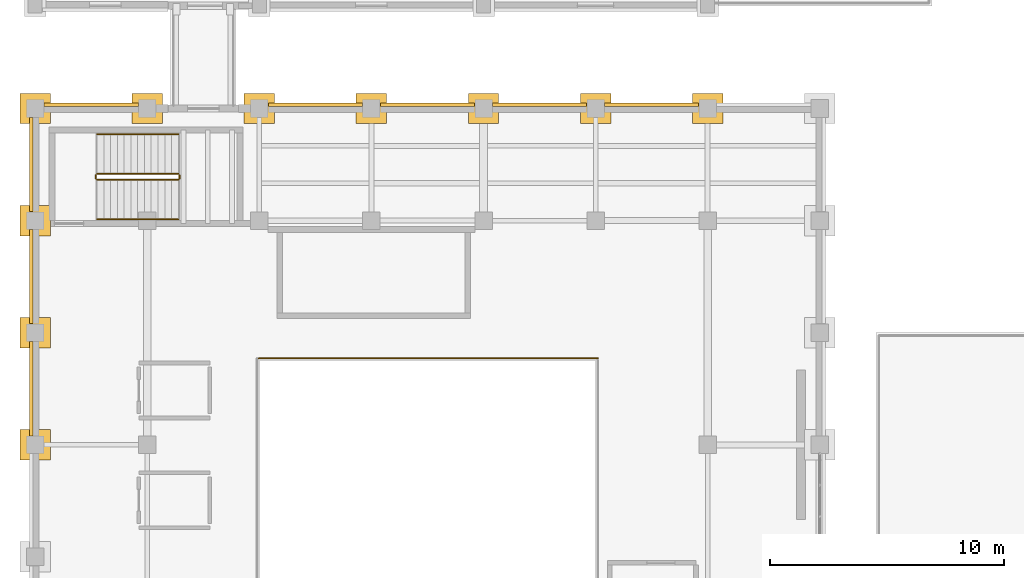
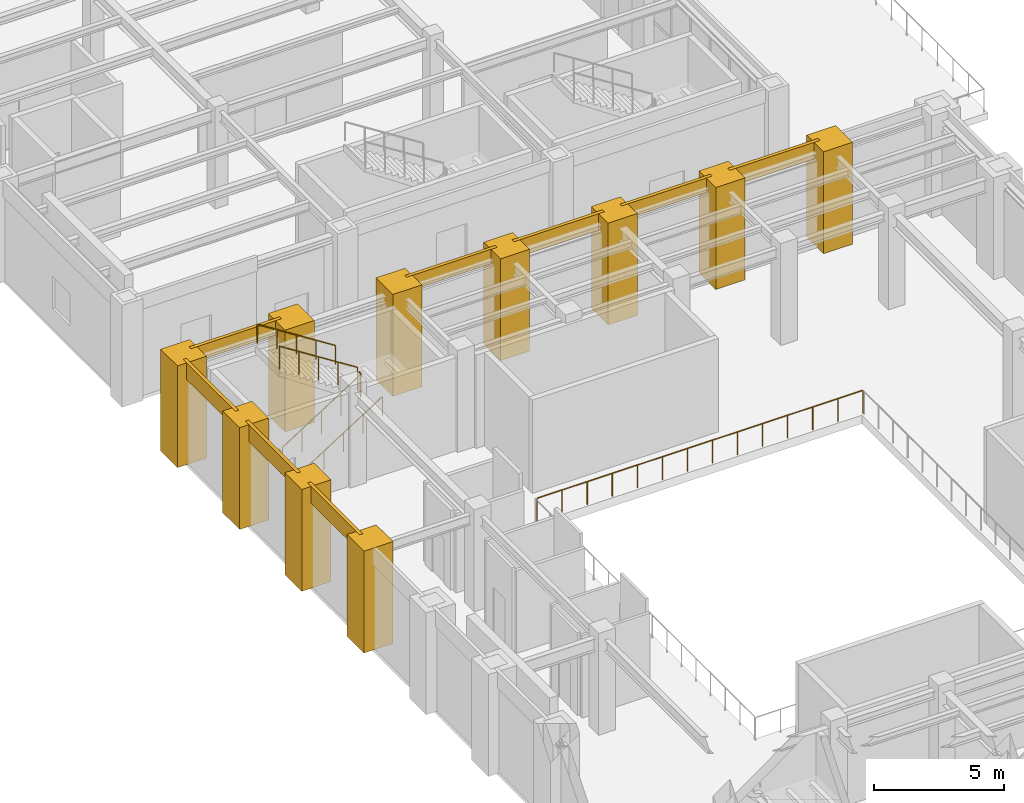
# One storey, part 75 of 83: 18 coverings, 7 railings.
"""IFC4 building model written with IfcOpenShell, lengths in metres."""

from ifc_helpers import new_model, si_unit, direction, frame, origin, origin_2d, place, context, subcontext, project, spatial, polyline, circle, outline, extrude, material, layer, layer_set, type_object, element, save


model = new_model("IFC4")

# Units and contexts
model_context = context("Model", 3, precision=1e-05, world=origin(), true_north=direction((0.0, 1.0)))
body_context = subcontext(model_context, "Body", "Model", "MODEL_VIEW")
ifc_project = project(units=[si_unit("LENGTHUNIT", "METRE"), si_unit("AREAUNIT", "SQUARE_METRE"), si_unit("VOLUMEUNIT", "CUBIC_METRE"), si_unit("PLANEANGLEUNIT", "RADIAN"), si_unit("MASSUNIT", "GRAM", prefix="KILO")], contexts=[model_context])

# Site, building, storey
site_placement = place(None, origin())
site = spatial("IfcSite", under=ifc_project, at=site_placement, CompositionType="ELEMENT")
building_placement = place(site_placement, origin())
building = spatial("IfcBuilding", under=site, at=building_placement, Name="Mavantir Sound Aquarium", CompositionType="ELEMENT")
storey_placement = place(building_placement, frame((0.0, 0.0, 10.5)))
storey = spatial("IfcBuildingStorey", under=building, at=storey_placement, Name="L02", CompositionType="ELEMENT", Elevation=10.5)

# Coverings
ifc_material_1 = material(Name="Honed Coral-Limestone & Glazed Terracotta Rainscreen Cladding", Category="masonry")
ifc_layer = layer(ifc_material_1, 0.06005859375, Name="Honed Coral-Limestone & Glazed Terracotta Rainscreen Cladding")
ifc_layer_set = layer_set([ifc_layer], Name="Honed Coral-Limestone & Glazed Terracotta Rainscreen Cladding")
covering_type = type_object("IfcCoveringType", Name="COV-CLAD-TC", PredefinedType="CLADDING", material=ifc_layer_set)
covering_1_placement = place(storey_placement, frame((0.0, 0.0, 4.008056640625)))
element("IfcCovering", 1, at=covering_1_placement, inside=storey, type_object=covering_type, Name="L02 Postmodern coral-limestone spandrel frieze 294", PredefinedType="CLADDING", context=body_context, shape_type="SweptSolid", body=[
    extrude(outline(polyline([(28.4169921875, 79.2900390625), (24.383056640625, 79.2900390625), (24.383056640625, 79.43994140625), (28.4169921875, 79.43994140625), (28.4169921875, 79.2900390625)])), origin(), (0.0, 0.0, 1.0), 0.7919921875),
])
covering_2_placement = place(storey_placement, frame((0.0, 0.0, 4.113037109375)))
element("IfcCovering", 2, at=covering_2_placement, inside=storey, type_object=covering_type, Name="L02 Postmodern coral-limestone spandrel frieze 295", PredefinedType="CLADDING", context=body_context, shape_type="SweptSolid", body=[
    extrude(outline(polyline([(23.616943359375, 79.2900390625), (19.5830078125, 79.2900390625), (19.5830078125, 79.43994140625), (23.616943359375, 79.43994140625), (23.616943359375, 79.2900390625)])), origin(), (0.0, 0.0, 1.0), 0.68701171875),
])
covering_3_placement = place(storey_placement, frame((0.0, 0.0, 4.008056640625)))
element("IfcCovering", 3, at=covering_3_placement, inside=storey, type_object=covering_type, Name="L02 Postmodern coral-limestone spandrel frieze 296", PredefinedType="CLADDING", context=body_context, shape_type="SweptSolid", body=[
    extrude(outline(polyline([(18.81689453125, 79.2900390625), (14.782958984375, 79.2900390625), (14.782958984375, 79.43994140625), (18.81689453125, 79.43994140625), (18.81689453125, 79.2900390625)])), origin(), (0.0, 0.0, 1.0), 0.7919921875),
])
covering_4_placement = place(storey_placement, frame((0.0, 0.0, 4.113037109375)))
element("IfcCovering", 4, at=covering_4_placement, inside=storey, type_object=covering_type, Name="L02 Postmodern coral-limestone spandrel frieze 297", PredefinedType="CLADDING", context=body_context, shape_type="SweptSolid", body=[
    extrude(outline(polyline([(14.01708984375, 79.2900390625), (9.98291015625, 79.2900390625), (9.98291015625, 79.43994140625), (14.01708984375, 79.43994140625), (14.01708984375, 79.2900390625)])), origin(), (0.0, 0.0, 1.0), 0.68701171875),
])
covering_5_placement = place(storey_placement, frame((0.0, 0.0, 4.113037109375)))
element("IfcCovering", 5, at=covering_5_placement, inside=storey, type_object=covering_type, Name="L02 Postmodern coral-limestone spandrel frieze 298", PredefinedType="CLADDING", context=body_context, shape_type="SweptSolid", body=[
    extrude(outline(polyline([(4.4169921875, 79.2900390625), (0.383056640625, 79.2900390625), (0.383056640625, 79.43994140625), (4.4169921875, 79.43994140625), (4.4169921875, 79.2900390625)])), origin(), (0.0, 0.0, 1.0), 0.68701171875),
])
covering_6_placement = place(storey_placement, frame((0.0, 0.0, 4.008056640625)))
element("IfcCovering", 6, at=covering_6_placement, inside=storey, type_object=covering_type, Name="L02 Postmodern coral-limestone spandrel frieze 299", PredefinedType="CLADDING", context=body_context, shape_type="SweptSolid", body=[
    extrude(outline(polyline([(-0.090087890625, 78.81689453125), (-0.090087890625, 74.782958984375), (-0.239990234375, 74.782958984375), (-0.239990234375, 78.81689453125), (-0.090087890625, 78.81689453125)])), origin(), (0.0, 0.0, 1.0), 0.7919921875),
])
covering_7_placement = place(storey_placement, frame((0.0, 0.0, 4.008056640625)))
element("IfcCovering", 7, at=covering_7_placement, inside=storey, type_object=covering_type, Name="L02 Postmodern coral-limestone spandrel frieze 300", PredefinedType="CLADDING", context=body_context, shape_type="SweptSolid", body=[
    extrude(outline(polyline([(-0.090087890625, 74.01708984375), (-0.090087890625, 69.98291015625), (-0.239990234375, 69.98291015625), (-0.239990234375, 74.01708984375), (-0.090087890625, 74.01708984375)])), origin(), (0.0, 0.0, 1.0), 0.7919921875),
])
covering_8_placement = place(storey_placement, frame((0.0, 0.0, 4.008056640625)))
element("IfcCovering", 8, at=covering_8_placement, inside=storey, type_object=covering_type, Name="L02 Postmodern coral-limestone spandrel frieze 301", PredefinedType="CLADDING", context=body_context, shape_type="SweptSolid", body=[
    extrude(outline(polyline([(-0.090087890625, 69.217041015625), (-0.090087890625, 65.18310546875), (-0.239990234375, 65.18310546875), (-0.239990234375, 69.217041015625), (-0.090087890625, 69.217041015625)])), origin(), (0.0, 0.0, 1.0), 0.7919921875),
])
covering_9_placement = place(storey_placement, origin())
element("IfcCovering", 9, at=covering_9_placement, inside=storey, type_object=covering_type, Name="L02 Postmodern coral-limestone pilaster casing 23", PredefinedType="CLADDING", context=body_context, shape_type="SweptSolid", body=[
    extrude(outline(polyline([(-0.64990234375, 64.14990234375), (0.64990234375, 64.14990234375), (0.64990234375, 65.449951171875), (-0.64990234375, 65.449951171875), (-0.64990234375, 64.14990234375)])), origin(), (0.0, 0.0, 1.0), 4.800048828125),
])
covering_10_placement = place(storey_placement, origin())
element("IfcCovering", 10, at=covering_10_placement, inside=storey, type_object=covering_type, Name="L02 Postmodern coral-limestone pilaster casing 27", PredefinedType="CLADDING", context=body_context, shape_type="SweptSolid", body=[
    extrude(outline(polyline([(-0.64990234375, 68.949951171875), (0.64990234375, 68.949951171875), (0.64990234375, 70.25), (-0.64990234375, 70.25), (-0.64990234375, 68.949951171875)])), origin(), (0.0, 0.0, 1.0), 4.800048828125),
])
covering_11_placement = place(storey_placement, origin())
element("IfcCovering", 11, at=covering_11_placement, inside=storey, type_object=covering_type, Name="L02 Postmodern coral-limestone pilaster casing 31", PredefinedType="CLADDING", context=body_context, shape_type="SweptSolid", body=[
    extrude(outline(polyline([(-0.64990234375, 73.75), (0.64990234375, 73.75), (0.64990234375, 75.050048828125), (-0.64990234375, 75.050048828125), (-0.64990234375, 73.75)])), origin(), (0.0, 0.0, 1.0), 4.800048828125),
])
covering_12_placement = place(storey_placement, origin())
element("IfcCovering", 12, at=covering_12_placement, inside=storey, type_object=covering_type, Name="L02 Postmodern coral-limestone pilaster casing 35", PredefinedType="CLADDING", context=body_context, shape_type="SweptSolid", body=[
    extrude(outline(polyline([(-0.64990234375, 78.550048828125), (0.64990234375, 78.550048828125), (0.64990234375, 79.85009765625), (-0.64990234375, 79.85009765625), (-0.64990234375, 78.550048828125)])), origin(), (0.0, 0.0, 1.0), 4.800048828125),
])
covering_13_placement = place(storey_placement, origin())
element("IfcCovering", 13, at=covering_13_placement, inside=storey, type_object=covering_type, Name="L02 Postmodern coral-limestone pilaster casing 43", PredefinedType="CLADDING", context=body_context, shape_type="SweptSolid", body=[
    extrude(outline(polyline([(4.14990234375, 78.550048828125), (5.449951171875, 78.550048828125), (5.449951171875, 79.85009765625), (4.14990234375, 79.85009765625), (4.14990234375, 78.550048828125)])), origin(), (0.0, 0.0, 1.0), 4.800048828125),
])
covering_14_placement = place(storey_placement, origin())
element("IfcCovering", 14, at=covering_14_placement, inside=storey, type_object=covering_type, Name="L02 Postmodern coral-limestone pilaster casing 51", PredefinedType="CLADDING", context=body_context, shape_type="SweptSolid", body=[
    extrude(outline(polyline([(8.949951171875, 78.550048828125), (10.25, 78.550048828125), (10.25, 79.85009765625), (8.949951171875, 79.85009765625), (8.949951171875, 78.550048828125)])), origin(), (0.0, 0.0, 1.0), 4.800048828125),
])
covering_15_placement = place(storey_placement, origin())
element("IfcCovering", 15, at=covering_15_placement, inside=storey, type_object=covering_type, Name="L02 Postmodern coral-limestone pilaster casing 59", PredefinedType="CLADDING", context=body_context, shape_type="SweptSolid", body=[
    extrude(outline(polyline([(13.75, 78.550048828125), (15.050048828125, 78.550048828125), (15.050048828125, 79.85009765625), (13.75, 79.85009765625), (13.75, 78.550048828125)])), origin(), (0.0, 0.0, 1.0), 4.800048828125),
])
covering_16_placement = place(storey_placement, origin())
element("IfcCovering", 16, at=covering_16_placement, inside=storey, type_object=covering_type, Name="L02 Postmodern coral-limestone pilaster casing 67", PredefinedType="CLADDING", context=body_context, shape_type="SweptSolid", body=[
    extrude(outline(polyline([(18.550048828125, 78.550048828125), (19.85009765625, 78.550048828125), (19.85009765625, 79.85009765625), (18.550048828125, 79.85009765625), (18.550048828125, 78.550048828125)])), origin(), (0.0, 0.0, 1.0), 4.800048828125),
])
covering_17_placement = place(storey_placement, origin())
element("IfcCovering", 17, at=covering_17_placement, inside=storey, type_object=covering_type, Name="L02 Postmodern coral-limestone pilaster casing 75", PredefinedType="CLADDING", context=body_context, shape_type="SweptSolid", body=[
    extrude(outline(polyline([(23.35009765625, 78.550048828125), (24.64990234375, 78.550048828125), (24.64990234375, 79.85009765625), (23.35009765625, 79.85009765625), (23.35009765625, 78.550048828125)])), origin(), (0.0, 0.0, 1.0), 4.800048828125),
])
covering_18_placement = place(storey_placement, origin())
element("IfcCovering", 18, at=covering_18_placement, inside=storey, type_object=covering_type, Name="L02 Postmodern coral-limestone pilaster casing 83", PredefinedType="CLADDING", context=body_context, shape_type="SweptSolid", body=[
    extrude(outline(polyline([(28.14990234375, 78.550048828125), (29.449951171875, 78.550048828125), (29.449951171875, 79.85009765625), (28.14990234375, 79.85009765625), (28.14990234375, 78.550048828125)])), origin(), (0.0, 0.0, 1.0), 4.800048828125),
])

# Railings
ifc_material_2 = material(Name="Stainless Steel 316 and Laminated Glass Guardrail", Category="steel")
railing_type_1 = type_object("IfcRailingType", Name="RL-GUARD-110", PredefinedType="GUARDRAIL", material=ifc_material_2)
railing_1_placement = place(storey_placement, frame((24.10009765625, 68.5, 0.0)))
element("IfcRailing", 19, at=railing_1_placement, inside=storey, type_object=railing_type_1, Name="L02 atrium void N guardrail 125", PredefinedType="GUARDRAIL", context=body_context, shape_type="SweptSolid", body=[
    extrude(circle(Radius=0.02392578125, at=origin_2d()), frame((0.0, 0.0, 1.076171875), z_axis=(-1.0, 0.0, 0.0), x_axis=(0.0, -1.0, 0.0)), (0.0, 0.0, 1.0), 14.52001953125),
    extrude(circle(Radius=0.02099609375, at=origin_2d()), origin(), (0.0, 0.0, 1.0), 1.052001953125),
    extrude(circle(Radius=0.02099609375, at=origin_2d()), frame((-1.116943359375, 0.0, 0.0)), (0.0, 0.0, 1.0), 1.052001953125),
    extrude(circle(Radius=0.02099609375, at=origin_2d()), frame((-2.23388671875, 0.0, 0.0)), (0.0, 0.0, 1.0), 1.052001953125),
    extrude(circle(Radius=0.02099609375, at=origin_2d()), frame((-3.350830078125, 0.0, 0.0)), (0.0, 0.0, 1.0), 1.052001953125),
    extrude(circle(Radius=0.02099609375, at=origin_2d()), frame((-4.4677734375, 0.0, 0.0)), (0.0, 0.0, 1.0), 1.052001953125),
    extrude(circle(Radius=0.02099609375, at=origin_2d()), frame((-5.584716796875, 0.0, 0.0)), (0.0, 0.0, 1.0), 1.052001953125),
    extrude(circle(Radius=0.02099609375, at=origin_2d()), frame((-6.70166015625, 0.0, 0.0)), (0.0, 0.0, 1.0), 1.052001953125),
    extrude(circle(Radius=0.02099609375, at=origin_2d()), frame((-7.818359375, 0.0, 0.0)), (0.0, 0.0, 1.0), 1.052001953125),
    extrude(circle(Radius=0.02099609375, at=origin_2d()), frame((-8.935302734375, 0.0, 0.0)), (0.0, 0.0, 1.0), 1.052001953125),
    extrude(circle(Radius=0.02099609375, at=origin_2d()), frame((-10.05224609375, 0.0, 0.0)), (0.0, 0.0, 1.0), 1.052001953125),
    extrude(circle(Radius=0.02099609375, at=origin_2d()), frame((-11.169189453125, 0.0, 0.0)), (0.0, 0.0, 1.0), 1.052001953125),
    extrude(circle(Radius=0.02099609375, at=origin_2d()), frame((-12.2861328125, 0.0, 0.0)), (0.0, 0.0, 1.0), 1.052001953125),
    extrude(circle(Radius=0.02099609375, at=origin_2d()), frame((-13.403076171875, 0.0, 0.0)), (0.0, 0.0, 1.0), 1.052001953125),
    extrude(circle(Radius=0.02099609375, at=origin_2d()), frame((-14.52001953125, 0.0, 0.0)), (0.0, 0.0, 1.0), 1.052001953125),
])
railing_2_placement = place(storey_placement, frame((2.64990234375, 76.14990234375, 0.1845703125)))
element("IfcRailing", 20, at=railing_2_placement, inside=storey, type_object=railing_type_1, Name="L02 ST2 stair guard 1", PredefinedType="GUARDRAIL", context=body_context, shape_type="SweptSolid", body=[
    extrude(circle(Radius=0.02392578125, at=origin_2d()), frame((0.0, 0.0, 1.076171875), z_axis=(0.843573748531, 0.0, 0.537013343214), x_axis=(0.0, 1.0, 0.0)), (0.0, 0.0, 1.0), 4.125244140625),
    extrude(circle(Radius=0.02099609375, at=origin_2d()), origin(), (0.0, 0.0, 1.0), 1.052001953125),
    extrude(circle(Radius=0.02099609375, at=origin_2d()), frame((0.8701171875, 0.0, 0.5537109375)), (0.0, 0.0, 1.0), 1.052001953125),
    extrude(circle(Radius=0.02099609375, at=origin_2d()), frame((1.739990234375, 0.0, 1.107666015625)), (0.0, 0.0, 1.0), 1.052001953125),
    extrude(circle(Radius=0.02099609375, at=origin_2d()), frame((2.60986328125, 0.0, 1.66162109375)), (0.0, 0.0, 1.0), 1.052001953125),
    extrude(circle(Radius=0.02099609375, at=origin_2d()), frame((3.47998046875, 0.0, 2.21533203125)), (0.0, 0.0, 1.0), 1.052001953125),
])
railing_3_placement = place(storey_placement, frame((6.179931640625, 76.199951171875, 2.39990234375)))
element("IfcRailing", 21, at=railing_3_placement, inside=storey, type_object=railing_type_1, Name="L02 ST2 stair guard 2", PredefinedType="GUARDRAIL", context=body_context, shape_type="SweptSolid", body=[
    extrude(circle(Radius=0.02392578125, at=origin_2d()), frame((0.0, 0.0, 1.076171875), z_axis=(0.0, 1.0, 0.0), x_axis=(-1.0, 0.0, 0.0)), (0.0, 0.0, 1.0), 0.150146484375),
    extrude(circle(Radius=0.02099609375, at=origin_2d()), origin(), (0.0, 0.0, 1.0), 1.052001953125),
    extrude(circle(Radius=0.02099609375, at=origin_2d()), frame((0.0, 0.150146484375, 0.0)), (0.0, 0.0, 1.0), 1.052001953125),
])
railing_4_placement = place(storey_placement, frame((6.1298828125, 76.39990234375, 2.584716796875)))
element("IfcRailing", 22, at=railing_4_placement, inside=storey, type_object=railing_type_1, Name="L02 ST2 stair guard 3", PredefinedType="GUARDRAIL", context=body_context, shape_type="SweptSolid", body=[
    extrude(circle(Radius=0.02392578125, at=origin_2d()), frame((0.0, 0.0, 1.076171875), z_axis=(-0.843573748531, 0.0, 0.537013343214), x_axis=(0.0, -1.0, 0.0)), (0.0, 0.0, 1.0), 4.125244140625),
    extrude(circle(Radius=0.02099609375, at=origin_2d()), origin(), (0.0, 0.0, 1.0), 1.052001953125),
    extrude(circle(Radius=0.02099609375, at=origin_2d()), frame((-0.8701171875, 0.0, 0.5537109375)), (0.0, 0.0, 1.0), 1.052001953125),
    extrude(circle(Radius=0.02099609375, at=origin_2d()), frame((-1.739990234375, 0.0, 1.107666015625)), (0.0, 0.0, 1.0), 1.052001953125),
    extrude(circle(Radius=0.02099609375, at=origin_2d()), frame((-2.60986328125, 0.0, 1.66162109375)), (0.0, 0.0, 1.0), 1.052001953125),
    extrude(circle(Radius=0.02099609375, at=origin_2d()), frame((-3.47998046875, 0.0, 2.21533203125)), (0.0, 0.0, 1.0), 1.052001953125),
])
railing_5_placement = place(storey_placement, frame((2.60009765625, 76.199951171875, 0.0)))
element("IfcRailing", 23, at=railing_5_placement, inside=storey, type_object=railing_type_1, Name="L02 ST2 stair guard 4", PredefinedType="GUARDRAIL", context=body_context, shape_type="SweptSolid", body=[
    extrude(circle(Radius=0.02392578125, at=origin_2d()), frame((0.0, 0.0, 1.076171875), z_axis=(0.0, 1.0, 0.0), x_axis=(-1.0, 0.0, 0.0)), (0.0, 0.0, 1.0), 0.150146484375),
    extrude(circle(Radius=0.02099609375, at=origin_2d()), origin(), (0.0, 0.0, 1.0), 1.052001953125),
    extrude(circle(Radius=0.02099609375, at=origin_2d()), frame((0.0, 0.150146484375, 0.0)), (0.0, 0.0, 1.0), 1.052001953125),
])
ifc_material_3 = material(Name="Brushed Stainless Steel 316 Handrail", Category="steel")
railing_type_2 = type_object("IfcRailingType", Name="RL-HR-90", PredefinedType="HANDRAIL", material=ifc_material_3)
railing_6_placement = place(storey_placement, frame((2.64990234375, 74.449951171875, 0.36962890625)))
element("IfcRailing", 24, at=railing_6_placement, inside=storey, type_object=railing_type_2, Name="L02 ST2 stair handrail 1", PredefinedType="HANDRAIL", context=body_context, shape_type="SweptSolid", body=[
    extrude(circle(Radius=0.02392578125, at=origin_2d()), frame((0.0, 0.0, 0.89111328125), z_axis=(0.843573748531, 0.0, 0.537013343214), x_axis=(0.0, 1.0, 0.0)), (0.0, 0.0, 1.0), 4.125244140625),
    extrude(circle(Radius=0.02099609375, at=origin_2d()), origin(), (0.0, 0.0, 1.0), 0.866943359375),
    extrude(circle(Radius=0.02099609375, at=origin_2d()), frame((0.8701171875, 0.0, 0.5537109375)), (0.0, 0.0, 1.0), 0.866943359375),
    extrude(circle(Radius=0.02099609375, at=origin_2d()), frame((1.739990234375, 0.0, 1.107666015625)), (0.0, 0.0, 1.0), 0.866943359375),
    extrude(circle(Radius=0.02099609375, at=origin_2d()), frame((2.60986328125, 0.0, 1.66162109375)), (0.0, 0.0, 1.0), 0.866943359375),
    extrude(circle(Radius=0.02099609375, at=origin_2d()), frame((3.47998046875, 0.0, 2.21533203125)), (0.0, 0.0, 1.0), 0.866943359375),
])
railing_7_placement = place(storey_placement, frame((6.1298828125, 78.10009765625, 2.76953125)))
element("IfcRailing", 25, at=railing_7_placement, inside=storey, type_object=railing_type_2, Name="L02 ST2 stair handrail 2", PredefinedType="HANDRAIL", context=body_context, shape_type="SweptSolid", body=[
    extrude(circle(Radius=0.02392578125, at=origin_2d()), frame((0.0, 0.0, 0.89111328125), z_axis=(-0.843546938479, 0.0, 0.53705545578), x_axis=(0.0, -1.0, 0.0)), (0.0, 0.0, 1.0), 4.12548828125),
    extrude(circle(Radius=0.02099609375, at=origin_2d()), origin(), (0.0, 0.0, 1.0), 0.866943359375),
    extrude(circle(Radius=0.02099609375, at=origin_2d()), frame((-0.8701171875, 0.0, 0.553955078125)), (0.0, 0.0, 1.0), 0.866943359375),
    extrude(circle(Radius=0.02099609375, at=origin_2d()), frame((-1.739990234375, 0.0, 1.10791015625)), (0.0, 0.0, 1.0), 0.866943359375),
    extrude(circle(Radius=0.02099609375, at=origin_2d()), frame((-2.60986328125, 0.0, 1.66162109375)), (0.0, 0.0, 1.0), 0.866943359375),
    extrude(circle(Radius=0.02099609375, at=origin_2d()), frame((-3.47998046875, 0.0, 2.215576171875)), (0.0, 0.0, 1.0), 0.866943359375),
])

save(model, "model.ifc")
